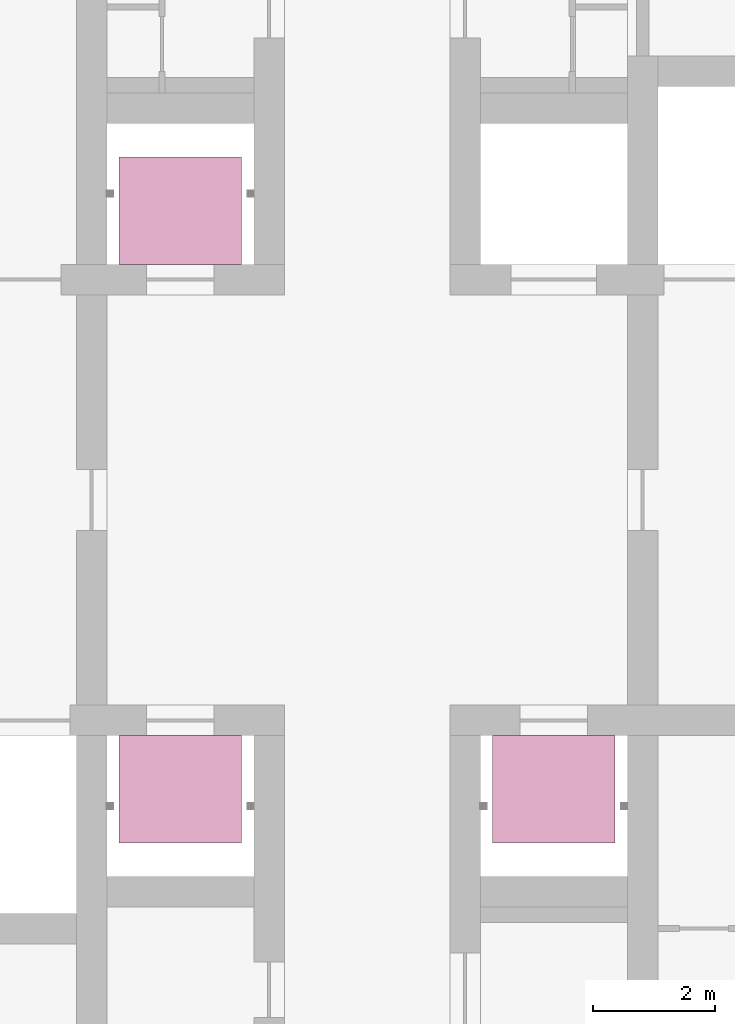
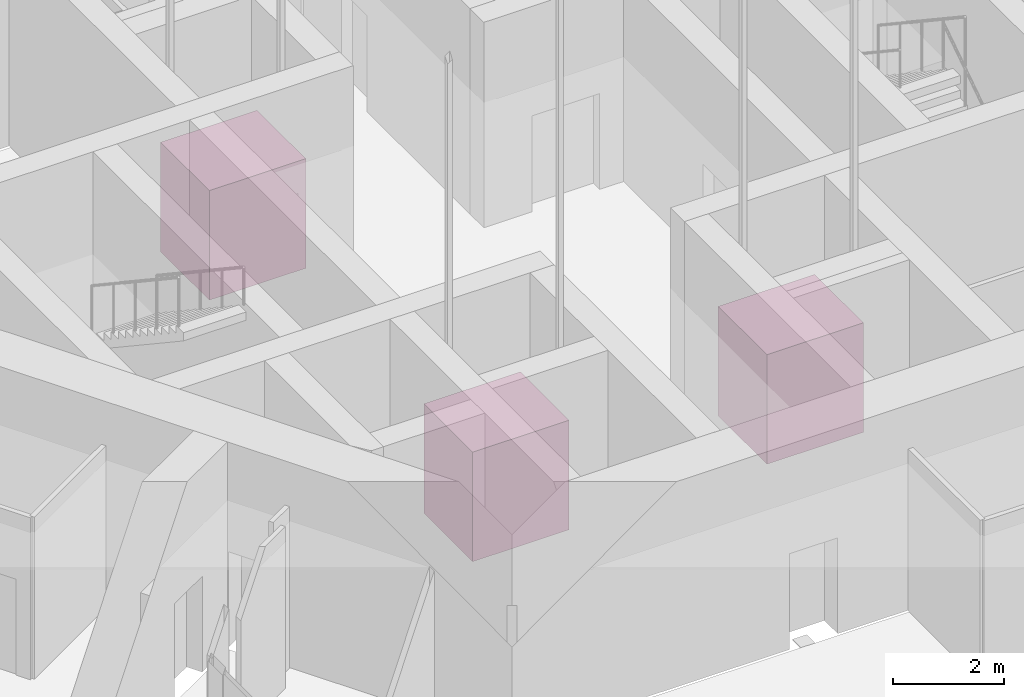
# One storey, part 18 of 18: 3 transport elements.
"""IFC4 building model written with IfcOpenShell, lengths in metres."""

from ifc_helpers import new_model, si_unit, direction, frame, origin, origin_2d, place, context, subcontext, project, spatial, rectangle, extrude, material, type_object, element, save


model = new_model("IFC4")

# Units and contexts
model_context = context("Model", 3, precision=1e-05, world=origin(), true_north=direction((0.0, 1.0)))
body_context = subcontext(model_context, "Body", "Model", "MODEL_VIEW")
ifc_project = project(units=[si_unit("LENGTHUNIT", "METRE"), si_unit("AREAUNIT", "SQUARE_METRE"), si_unit("VOLUMEUNIT", "CUBIC_METRE"), si_unit("PLANEANGLEUNIT", "RADIAN"), si_unit("MASSUNIT", "GRAM", prefix="KILO")], contexts=[model_context])

# Site, building, storey
site_placement = place(None, origin())
site = spatial("IfcSite", under=ifc_project, at=site_placement, CompositionType="ELEMENT")
building_placement = place(site_placement, origin())
building = spatial("IfcBuilding", under=site, at=building_placement, Name="Kasaneha Research Tower", CompositionType="ELEMENT")
storey_placement = place(building_placement, frame((0.0, 0.0, 128.60009765625)))
storey = spatial("IfcBuildingStorey", under=building, at=storey_placement, Name="L32", CompositionType="ELEMENT", Elevation=128.60009765625)

# Transport elements
ifc_material = material(Name="Steel", Category="steel")
transport_element_type = type_object("IfcTransportElementType", Name="Passenger lift car 2000x1750 1600 kg", PredefinedType="ELEVATOR", material=ifc_material)
transport_element_1_placement = place(storey_placement, frame((0.0, 0.0, -128.60009765625)))
element("IfcTransportElement", 1, at=transport_element_1_placement, inside=storey, type_object=transport_element_type, Name="Lift LM2", PredefinedType="ELEVATOR", context=body_context, shape_type="SweptSolid", body=[
    extrude(rectangle(XDim=2.0, YDim=1.75, at=origin_2d()), frame((3.050048828125, -4.72509765625, 128.60009765625)), (0.0, 0.0, 1.0), 2.39990234375),
])
transport_element_2_placement = place(storey_placement, frame((0.0, 0.0, -128.60009765625)))
element("IfcTransportElement", 2, at=transport_element_2_placement, inside=storey, type_object=transport_element_type, Name="Lift LM1", PredefinedType="ELEVATOR", context=body_context, shape_type="SweptSolid", body=[
    extrude(rectangle(XDim=2.0, YDim=1.75, at=origin_2d()), frame((-3.050048828125, 4.72509765625, 128.60009765625)), (0.0, 0.0, 1.0), 2.39990234375),
])
transport_element_3_placement = place(storey_placement, frame((0.0, 0.0, -128.60009765625)))
element("IfcTransportElement", 3, at=transport_element_3_placement, inside=storey, type_object=transport_element_type, Name="Lift LM3", PredefinedType="ELEVATOR", context=body_context, shape_type="SweptSolid", body=[
    extrude(rectangle(XDim=2.0, YDim=1.75, at=origin_2d()), frame((-3.050048828125, -4.72509765625, 128.60009765625)), (0.0, 0.0, 1.0), 2.39990234375),
])

save(model, "model.ifc")
